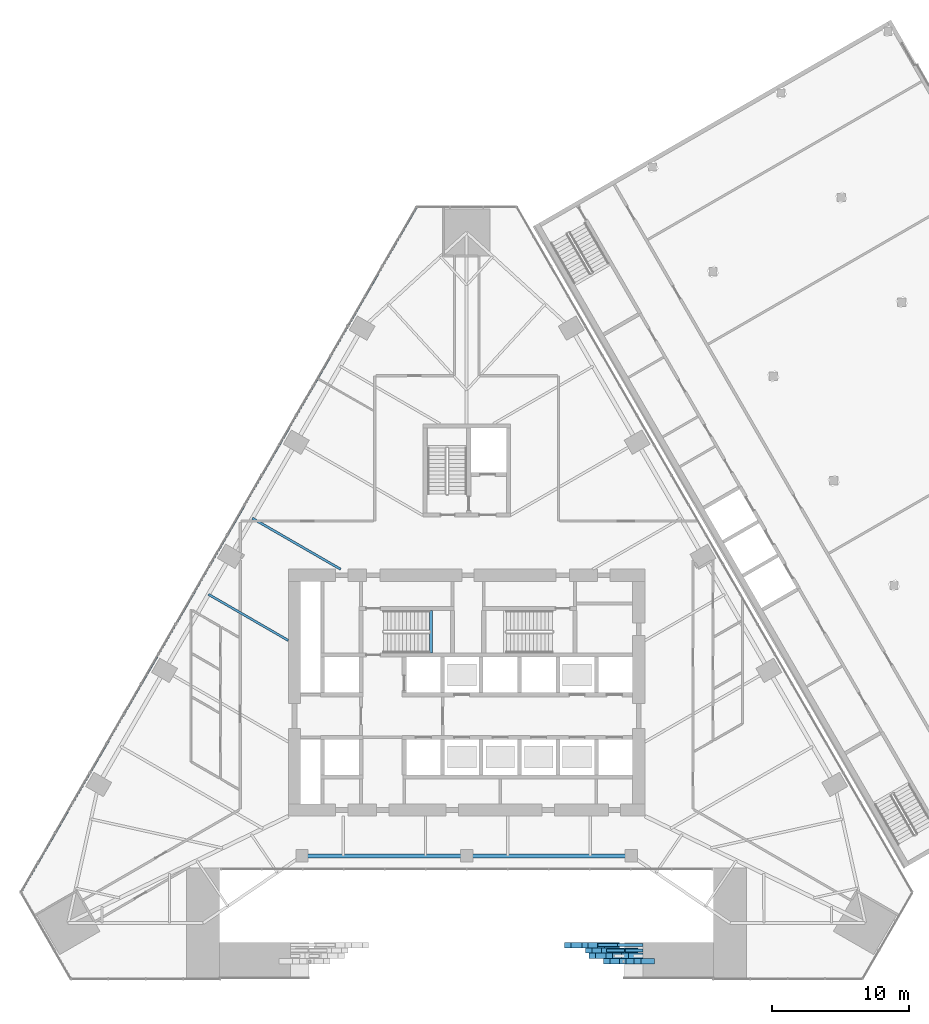
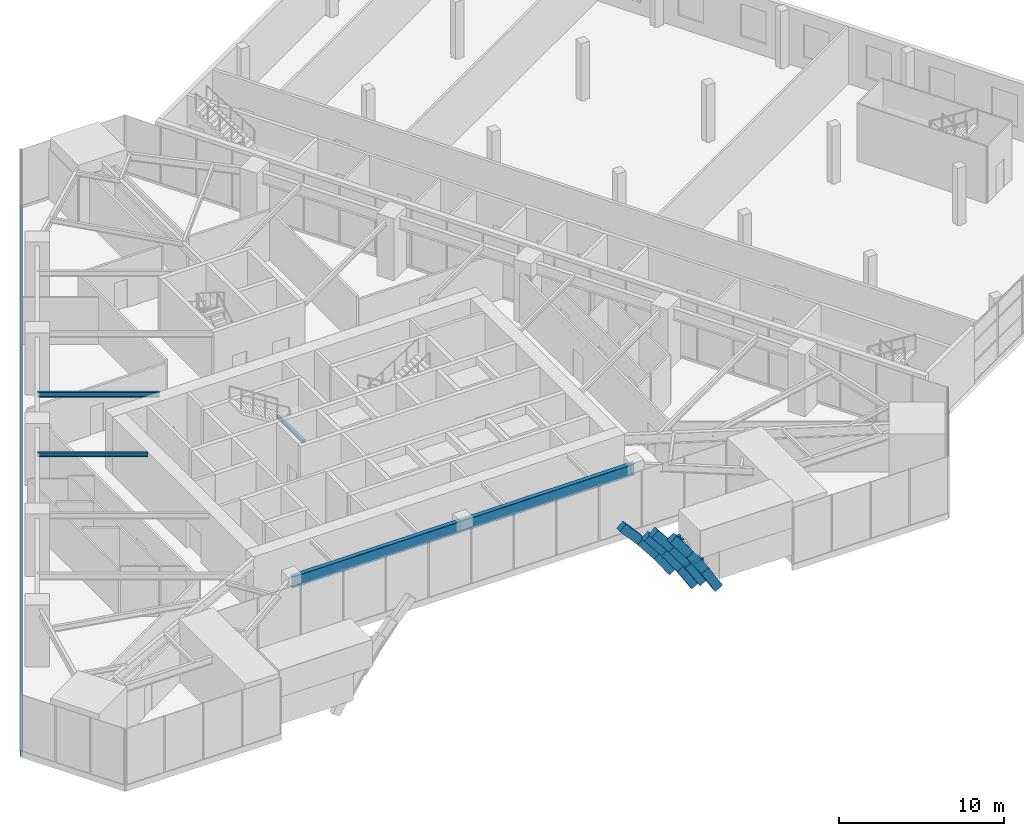
# One storey, part 5 of 29: 13 members, 9 beams, 1 element without a shape of its own.
"""IFC4 building model written with IfcOpenShell, lengths in metres."""

from ifc_helpers import new_model, si_unit, direction, frame, origin, origin_2d, place, context, subcontext, project, spatial, rectangle, i_section, extrude, material, layer, layer_set, material_profile, profile_set, type_object, element, aggregate, save


model = new_model("IFC4")

# Units and contexts
model_context = context("Model", 3, precision=1e-05, world=origin(), true_north=direction((0.0, 1.0)))
body_context = subcontext(model_context, "Body", "Model", "MODEL_VIEW")
ifc_project = project(units=[si_unit("LENGTHUNIT", "METRE"), si_unit("AREAUNIT", "SQUARE_METRE"), si_unit("VOLUMEUNIT", "CUBIC_METRE"), si_unit("PLANEANGLEUNIT", "RADIAN"), si_unit("MASSUNIT", "GRAM", prefix="KILO")], contexts=[model_context])

# Site, building, storey
site_placement = place(None, origin())
site = spatial("IfcSite", under=ifc_project, at=site_placement, CompositionType="ELEMENT")
building_placement = place(site_placement, origin())
building = spatial("IfcBuilding", under=site, at=building_placement, Name="Firuza Gate Tower and Library", CompositionType="ELEMENT")
storey_placement = place(building_placement, frame((0.0, 0.0, 17.199951171875)))
storey = spatial("IfcBuildingStorey", under=building, at=storey_placement, Name="L03", CompositionType="ELEMENT", Elevation=17.199951171875)

# Members
ifc_material_1 = material(Name="Concrete C60/75", Category="concrete")
ifc_material_profile_1 = material_profile(ifc_material_1, rectangle(XDim=0.39990234375, YDim=0.60009765625, at=origin_2d()))
ifc_profile_set_1 = profile_set([ifc_material_profile_1], Name="Concrete C60/75")
member_type_1 = type_object("IfcMemberType", Name="Arch rib 600x400", PredefinedType="USERDEFINED", material=ifc_profile_set_1)
for number, where, z_axis, x_axis, name in (
    (1, (85.212890625, 55.415283203125, 4.00341796875), (0.605731233168, 0.0, -0.795669324007), (0.0, 1.0, 0.0), "Arch rib 1.27"),
    (2, (86.369873046875, 55.415283203125, 2.483642578125), (0.559674786195, 0.0, -0.828712334708), (0.0, 1.0, 0.0), "Arch rib 1.28"),
    (3, (87.43896484375, 55.415283203125, 0.900634765625), (0.511899506648, 0.0, -0.85904533937), (0.0, 1.0, 0.0), "Arch rib 1.29"),
):
    element("IfcMember", number, at=place(storey_placement, frame(where, z_axis=z_axis, x_axis=x_axis)), inside=storey, type_object=member_type_1, Name=name, ObjectType="ARCH RIB", PredefinedType="USERDEFINED", context=body_context, shape_type="SweptSolid", body=[
        extrude(rectangle(XDim=0.39990234375, YDim=0.60009765625, at=origin_2d()), origin(), (0.0, 0.0, 1.0), 1.91015625),
    ])
for number, where, z_axis, x_axis, name in (
    (4, (84.1376953125, 55.8154296875, 4.55615234375), (0.629013242328, 0.0, -0.777394585122), (0.0, 1.0, 0.0), "Arch rib 2.25"),
    (5, (85.379638671875, 55.8154296875, 3.021240234375), (0.581904715012, 0.0, -0.813256972086), (0.0, 1.0, 0.0), "Arch rib 2.26"),
    (6, (86.528564453125, 55.8154296875, 1.41552734375), (0.53270831624, 0.0, -0.846298912801), (0.0, 1.0, 0.0), "Arch rib 2.27"),
):
    element("IfcMember", number, at=place(storey_placement, frame(where, z_axis=z_axis, x_axis=x_axis)), inside=storey, type_object=member_type_1, Name=name, ObjectType="ARCH RIB", PredefinedType="USERDEFINED", context=body_context, shape_type="SweptSolid", body=[
        extrude(rectangle(XDim=0.39990234375, YDim=0.60009765625, at=origin_2d()), origin(), (0.0, 0.0, 1.0), 1.974365234375),
    ])
member_1_placement = place(storey_placement, frame((83.880615234375, 56.21533203125, 4.133544921875), z_axis=(0.623600760544, 0.0, -0.781742982987), x_axis=(0.0, 1.0, 0.0)))
element("IfcMember", 7, at=member_1_placement, inside=storey, type_object=member_type_1, Name="Arch rib 3.25", ObjectType="ARCH RIB", PredefinedType="USERDEFINED", context=body_context, shape_type="SweptSolid", body=[
    extrude(rectangle(XDim=0.39990234375, YDim=0.60009765625, at=origin_2d()), origin(), (0.0, 0.0, 1.0), 1.932861328125),
])
member_2_placement = place(storey_placement, frame((85.0859375, 56.21533203125, 2.62255859375), z_axis=(0.576831985558, 0.0, -0.816862816167), x_axis=(0.0, 1.0, 0.0)))
element("IfcMember", 8, at=member_2_placement, inside=storey, type_object=member_type_1, Name="Arch rib 3.26", ObjectType="ARCH RIB", PredefinedType="USERDEFINED", context=body_context, shape_type="SweptSolid", body=[
    extrude(rectangle(XDim=0.39990234375, YDim=0.60009765625, at=origin_2d()), origin(), (0.0, 0.0, 1.0), 1.9326171875),
])
member_3_placement = place(storey_placement, frame((86.20068359375, 56.21533203125, 1.0439453125), z_axis=(0.528010455705, 0.0, -0.849237869308), x_axis=(0.0, 1.0, 0.0)))
element("IfcMember", 9, at=member_3_placement, inside=storey, type_object=member_type_1, Name="Arch rib 3.27", ObjectType="ARCH RIB", PredefinedType="USERDEFINED", context=body_context, shape_type="SweptSolid", body=[
    extrude(rectangle(XDim=0.39990234375, YDim=0.60009765625, at=origin_2d()), origin(), (0.0, 0.0, 1.0), 1.932861328125),
])
for number, where, z_axis, x_axis, name in (
    (10, (82.3701171875, 56.615478515625, 5.127685546875), (0.662534883834, 0.0, -0.749031059238), (0.0, 1.0, 0.0), "Arch rib 4.24"),
    (11, (83.623046875, 56.615478515625, 3.711181640625), (0.618123686429, 0.0, -0.786080853523), (0.0, 1.0, 0.0), "Arch rib 4.25"),
):
    element("IfcMember", number, at=place(storey_placement, frame(where, z_axis=z_axis, x_axis=x_axis)), inside=storey, type_object=member_type_1, Name=name, ObjectType="ARCH RIB", PredefinedType="USERDEFINED", context=body_context, shape_type="SweptSolid", body=[
        extrude(rectangle(XDim=0.39990234375, YDim=0.60009765625, at=origin_2d()), origin(), (0.0, 0.0, 1.0), 1.89111328125),
    ])
member_4_placement = place(storey_placement, frame((84.7919921875, 56.615478515625, 2.224609375), z_axis=(0.571450281234, 0.0, -0.820636689454), x_axis=(0.0, 1.0, 0.0)))
element("IfcMember", 12, at=member_4_placement, inside=storey, type_object=member_type_1, Name="Arch rib 4.26", ObjectType="ARCH RIB", PredefinedType="USERDEFINED", context=body_context, shape_type="SweptSolid", body=[
    extrude(rectangle(XDim=0.39990234375, YDim=0.60009765625, at=origin_2d()), origin(), (0.0, 0.0, 1.0), 1.890869140625),
])

# Beams
ifc_material_2 = material(Name="Concrete C60/75", Category="concrete")
ifc_material_profile_2 = material_profile(ifc_material_2, rectangle(XDim=0.199951171875, YDim=0.199951171875, at=origin_2d()))
ifc_profile_set_2 = profile_set([ifc_material_profile_2], Name="Concrete C60/75")
beam_type_1 = type_object("IfcBeamType", Name="Arch rib bracket 200x200", PredefinedType="BEAM", material=ifc_profile_set_2)
beam_1_placement = place(storey_placement, frame((86.491943359375, 56.21533203125, 2.954833984375), z_axis=(-1.0, 0.0, 0.0), x_axis=(0.0, -1.0, 0.0)))
element("IfcBeam", 13, at=beam_1_placement, inside=storey, type_object=beam_type_1, Name="Arch rib bracket 3.25", PredefinedType="BEAM", context=body_context, shape_type="SweptSolid", body=[
    extrude(rectangle(XDim=0.199951171875, YDim=0.199951171875, at=origin_2d()), origin(), (0.0, 0.0, 1.0), 1.29736328125),
])
beam_2_placement = place(storey_placement, frame((87.83447265625, 56.21533203125, 1.093994140625), z_axis=(-1.0, 0.0, 0.0), x_axis=(0.0, -1.0, 0.0)))
element("IfcBeam", 14, at=beam_2_placement, inside=storey, type_object=beam_type_1, Name="Arch rib bracket 3.26", PredefinedType="BEAM", context=body_context, shape_type="SweptSolid", body=[
    extrude(rectangle(XDim=0.199951171875, YDim=0.199951171875, at=origin_2d()), origin(), (0.0, 0.0, 1.0), 1.311767578125),
])
beam_3_placement = place(storey_placement, frame((87.83447265625, 56.21533203125, 0.993896484375), z_axis=(-1.0, 0.0, 0.0), x_axis=(0.0, -1.0, 0.0)))
element("IfcBeam", 15, at=beam_3_placement, inside=storey, type_object=beam_type_1, Name="Arch rib bracket 3.27", PredefinedType="BEAM", context=body_context, shape_type="SweptSolid", body=[
    extrude(rectangle(XDim=0.199951171875, YDim=0.199951171875, at=origin_2d()), origin(), (0.0, 0.0, 1.0), 1.259521484375),
])
beam_4_placement = place(storey_placement, frame((86.491943359375, 56.615478515625, 2.968017578125), z_axis=(-1.0, 0.0, 0.0), x_axis=(0.0, -1.0, 0.0)))
element("IfcBeam", 16, at=beam_4_placement, inside=storey, type_object=beam_type_1, Name="Arch rib bracket 4.25", PredefinedType="BEAM", context=body_context, shape_type="SweptSolid", body=[
    extrude(rectangle(XDim=0.199951171875, YDim=0.199951171875, at=origin_2d()), origin(), (0.0, 0.0, 1.0), 1.912841796875),
])
beam_5_placement = place(storey_placement, frame((87.83447265625, 56.615478515625, 1.01318359375), z_axis=(-1.0, 0.0, 0.0), x_axis=(0.0, -1.0, 0.0)))
element("IfcBeam", 17, at=beam_5_placement, inside=storey, type_object=beam_type_1, Name="Arch rib bracket 4.26", PredefinedType="BEAM", context=body_context, shape_type="SweptSolid", body=[
    extrude(rectangle(XDim=0.199951171875, YDim=0.199951171875, at=origin_2d()), origin(), (0.0, 0.0, 1.0), 1.84326171875),
])

# Curtain wall, member
ifc_material_3 = material(Name="Aluminium 6063-T6", Category="aluminium")
ifc_layer = layer(ifc_material_3, 0.14990234375)
ifc_layer_set = layer_set([ifc_layer], Name="Stick curtain wall, podium")
curtain_wall_type = type_object("IfcCurtainWallType", Name="Stick curtain wall, podium", PredefinedType="NOTDEFINED", material=ifc_layer_set)
curtain_wall_placement = place(storey_placement, origin())
curtain_wall = element("IfcCurtainWall", 18, at=curtain_wall_placement, inside=storey, type_object=curtain_wall_type, Name="CW5 L03 W", PredefinedType="NOTDEFINED")
ifc_material_4 = material(Name="Aluminium 6063-T6", Category="aluminium")
ifc_material_profile_3 = material_profile(ifc_material_4, rectangle(XDim=0.14990234375, YDim=0.449951171875, at=origin_2d()))
ifc_profile_set_3 = profile_set([ifc_material_profile_3], Name="Aluminium 6063-T6")
member_type_2 = type_object("IfcMemberType", Name="Curtain wall transom 450x150", PredefinedType="USERDEFINED", material=ifc_profile_set_3)
member_5_placement = place(storey_placement, frame((71.356689453125, 110.408935546875, -0.074951171875), z_axis=(-0.499998069382, -0.866026518424, 0.0), x_axis=(0.866026518424, -0.499998069382, 0.0)))
member_5 = element("IfcMember", 19, at=member_5_placement, type_object=member_type_2, Name="Transom", ObjectType="TRANSOM", PredefinedType="USERDEFINED", context=body_context, shape_type="SweptSolid", body=[
    extrude(rectangle(XDim=0.14990234375, YDim=0.449951171875, at=origin_2d()), origin(), (0.0, 0.0, 1.0), 57.686767578125),
])
aggregate(curtain_wall, [member_5])

# Beams
ifc_material_5 = material(Name="Concrete C35/45", Category="concrete")
ifc_material_profile_4 = material_profile(ifc_material_5, rectangle(XDim=0.199951171875, YDim=0.199951171875, at=origin_2d()))
ifc_profile_set_4 = profile_set([ifc_material_profile_4], Name="Concrete C35/45")
beam_type_2 = type_object("IfcBeamType", Name="Stair landing bearer 200x200", PredefinedType="BEAM", material=ifc_profile_set_4)
beam_6_placement = place(storey_placement, frame((72.39990234375, 77.89990234375, 2.0), z_axis=(0.0, 1.0, 0.0), x_axis=(-1.0, 0.0, 0.0)))
element("IfcBeam", 20, at=beam_6_placement, inside=storey, type_object=beam_type_2, Name="Landing bearer L03 stair 1", PredefinedType="BEAM", context=body_context, shape_type="SweptSolid", body=[
    extrude(rectangle(XDim=0.199951171875, YDim=0.199951171875, at=origin_2d()), origin(), (0.0, 0.0, 1.0), 3.080078125),
])
ifc_material_6 = material(Name="Steel S355", Category="steel")
ifc_material_profile_5 = material_profile(ifc_material_6, i_section(OverallWidth=0.1650390625, OverallDepth=0.31005859375, WebThickness=0.005859375, FlangeThickness=0.009765625, at=origin_2d()))
ifc_profile_set_5 = profile_set([ifc_material_profile_5], Name="Steel S355")
beam_type_3 = type_object("IfcBeamType", Name="W310x39 Floor beam", PredefinedType="JOIST", material=ifc_profile_set_5)
beam_7_placement = place(storey_placement, frame((56.179443359375, 82.171142578125, 4.14501953125), z_axis=(0.866019234261, -0.500010685776, 0.0), x_axis=(0.500010685776, 0.866019234261, 0.0)))
element("IfcBeam", 21, at=beam_7_placement, inside=storey, type_object=beam_type_3, Name="Floor beam L03 s103", PredefinedType="JOIST", context=body_context, shape_type="SweptSolid", body=[
    extrude(i_section(OverallWidth=0.1650390625, OverallDepth=0.31005859375, WebThickness=0.005859375, FlangeThickness=0.009765625, at=origin_2d()), origin(), (0.0, 0.0, 1.0), 6.720947265625),
])
ifc_material_7 = material(Name="Steel S355", Category="steel")
ifc_material_profile_6 = material_profile(ifc_material_7, i_section(OverallWidth=0.1708984375, OverallDepth=0.35498046875, WebThickness=0.007080078125, FlangeThickness=0.01171875, at=origin_2d()))
ifc_profile_set_6 = profile_set([ifc_material_profile_6], Name="Steel S355")
beam_type_4 = type_object("IfcBeamType", Name="W360x51 Floor beam", PredefinedType="JOIST", material=ifc_profile_set_6)
beam_8_placement = place(storey_placement, frame((59.37939453125, 87.713623046875, 4.12255859375), z_axis=(0.866023556141, -0.500003200199, 0.0), x_axis=(0.500003200199, 0.866023556141, 0.0)))
element("IfcBeam", 22, at=beam_8_placement, inside=storey, type_object=beam_type_4, Name="Floor beam L03 s102", PredefinedType="JOIST", context=body_context, shape_type="SweptSolid", body=[
    extrude(i_section(OverallWidth=0.1708984375, OverallDepth=0.35498046875, WebThickness=0.007080078125, FlangeThickness=0.01171875, at=origin_2d()), origin(), (0.0, 0.0, 1.0), 7.42724609375),
])
ifc_material_8 = material(Name="Steel S355", Category="steel")
ifc_material_profile_7 = material_profile(ifc_material_8, i_section(OverallWidth=0.2919921875, OverallDepth=0.8349609375, WebThickness=0.013916015625, FlangeThickness=0.018798828125, at=origin_2d()))
ifc_profile_set_7 = profile_set([ifc_material_profile_7], Name="Steel S355")
beam_type_5 = type_object("IfcBeamType", Name="W840x176 Edge beam", PredefinedType="SPANDREL", material=ifc_profile_set_7)
beam_9_placement = place(storey_placement, frame((63.0, 63.115478515625, 3.882568359375), z_axis=(1.0, 0.0, 0.0), x_axis=(0.0, 1.0, 0.0)))
element("IfcBeam", 23, at=beam_9_placement, inside=storey, type_object=beam_type_5, Name="Edge beam L03 e30", PredefinedType="SPANDREL", context=body_context, shape_type="SweptSolid", body=[
    extrude(i_section(OverallWidth=0.2919921875, OverallDepth=0.8349609375, WebThickness=0.013916015625, FlangeThickness=0.018798828125, at=origin_2d()), origin(), (0.0, 0.0, 1.0), 24.0),
])

save(model, "model.ifc")
